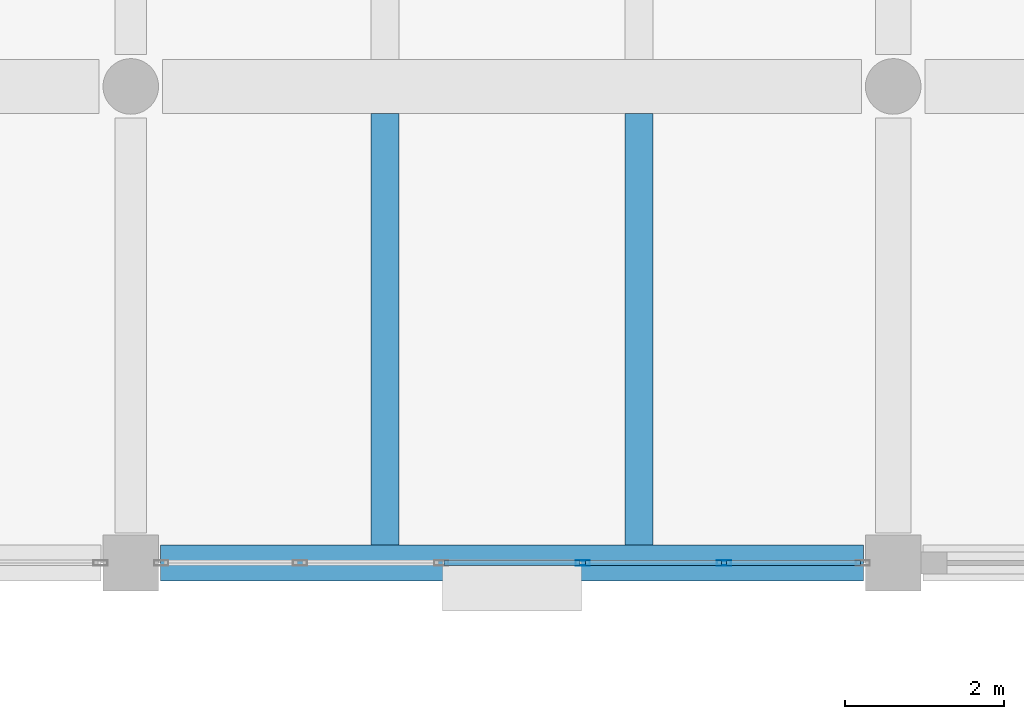
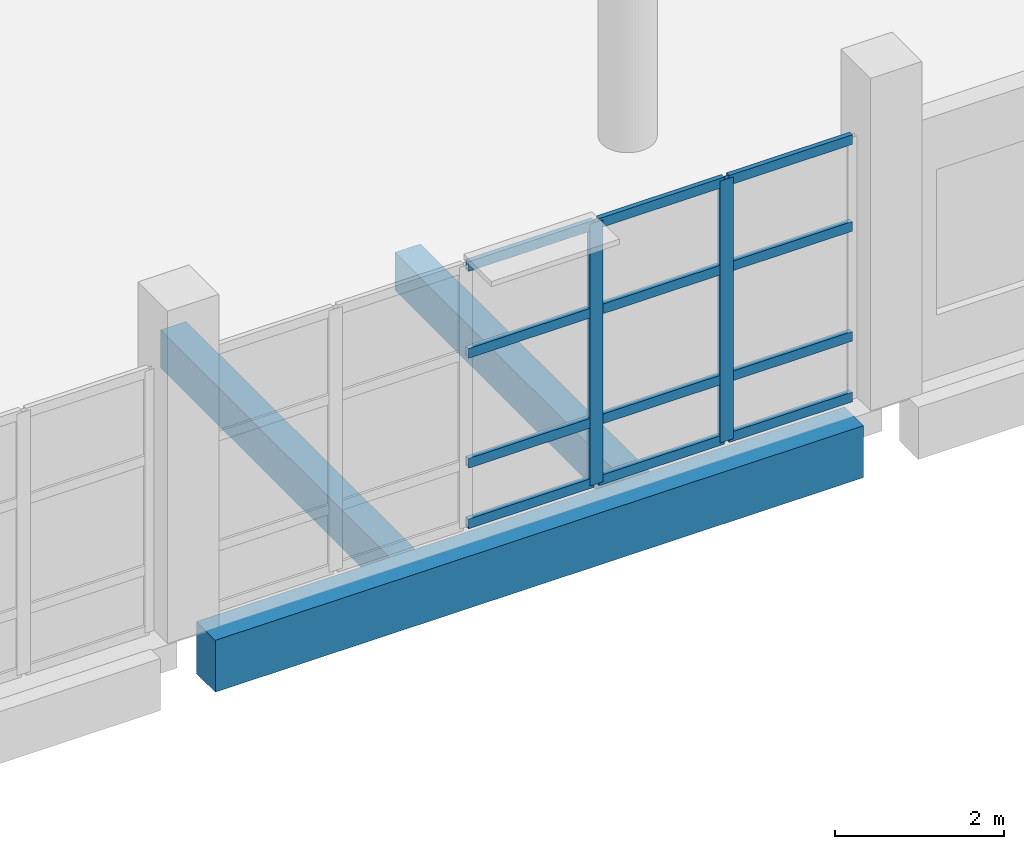
# One storey, part 41 of 91: 14 members, 3 beams, 1 element without a shape of its own.
"""IFC4 building model written with IfcOpenShell, lengths in metres."""

from ifc_helpers import new_model, si_unit, direction, frame, origin, origin_2d, place, context, subcontext, project, spatial, rectangle, hollow_rectangle, extrude, material, material_profile, profile_set, type_object, element, aggregate, save


model = new_model("IFC4")

# Units and contexts
model_context = context("Model", 3, precision=1e-05, world=origin(), true_north=direction((0.0, 1.0)))
body_context = subcontext(model_context, "Body", "Model", "MODEL_VIEW")
ifc_project = project(units=[si_unit("LENGTHUNIT", "METRE"), si_unit("AREAUNIT", "SQUARE_METRE"), si_unit("VOLUMEUNIT", "CUBIC_METRE"), si_unit("PLANEANGLEUNIT", "RADIAN"), si_unit("MASSUNIT", "GRAM", prefix="KILO")], contexts=[model_context])

# Site, building, storey
site_placement = place(None, origin())
site = spatial("IfcSite", under=ifc_project, at=site_placement, CompositionType="ELEMENT")
building_placement = place(site_placement, origin())
building = spatial("IfcBuilding", under=site, at=building_placement, Name="Pellamere Symphony Hall", CompositionType="ELEMENT")
storey_placement = place(building_placement, frame((0.0, 0.0, 5.39990234375)))
storey = spatial("IfcBuildingStorey", under=building, at=storey_placement, Name="L01", CompositionType="ELEMENT", Elevation=5.39990234375)

# Curtain wall, members
ifc_material_1 = material(Name="Thermally Broken Anodised Aluminium 6063-T6 Curtain Wall", Category="aluminium")
curtain_wall_type = type_object("IfcCurtainWallType", Name="Curtain Wall CW-02 (Winter-Garden South Concourse Curtain Wall)", PredefinedType="NOTDEFINED", material=ifc_material_1)
curtain_wall_placement = place(storey_placement, origin())
curtain_wall = element("IfcCurtainWall", 1, at=curtain_wall_placement, inside=storey, type_object=curtain_wall_type, Name="Winter-Garden South Curtain Wall (L01 Bay 11)", PredefinedType="NOTDEFINED")
ifc_material_2 = material(Name="Anodised Architectural Aluminium 6063-T6", Category="aluminium")
ifc_material_profile_1 = material_profile(ifc_material_2, hollow_rectangle(XDim=0.06494140625, YDim=0.179931640625, WallThickness=0.00390625, at=origin_2d()), Name="ALU-M65X180X4")
ifc_profile_set_1 = profile_set([ifc_material_profile_1], Name="Anodised Architectural Aluminium 6063-T6")
member_type_1 = type_object("IfcMemberType", Name="Curtain Wall Mullion ML-02 ALU-M65X180X4", PredefinedType="MULLION", material=ifc_profile_set_1)
member_1_placement = place(storey_placement, frame((124.489990234375, 18.0, 0.0), z_axis=(0.0, 0.0, 1.0), x_axis=(0.0, 1.0, 0.0)))
member_1 = element("IfcMember", 2, at=member_1_placement, type_object=member_type_1, Name="CW2-076 crystal mullion 4", PredefinedType="MULLION", context=body_context, shape_type="SweptSolid", body=[
    extrude(hollow_rectangle(XDim=0.06494140625, YDim=0.179931640625, WallThickness=0.00390625, at=origin_2d()), origin(), (0.0, 0.0, 1.0), 3.780029296875),
])
member_2_placement = place(storey_placement, frame((126.27001953125, 18.0, 0.0), z_axis=(0.0, 0.0, 1.0), x_axis=(0.0, 1.0, 0.0)))
member_2 = element("IfcMember", 3, at=member_2_placement, type_object=member_type_1, Name="CW2-076 crystal mullion 5", PredefinedType="MULLION", context=body_context, shape_type="SweptSolid", body=[
    extrude(hollow_rectangle(XDim=0.06494140625, YDim=0.179931640625, WallThickness=0.00390625, at=origin_2d()), origin(), (0.0, 0.0, 1.0), 3.780029296875),
])
ifc_material_profile_2 = material_profile(ifc_material_2, hollow_rectangle(XDim=0.06494140625, YDim=0.139892578125, WallThickness=0.00390625, at=origin_2d()), Name="ALU-T65X140X4")
ifc_profile_set_2 = profile_set([ifc_material_profile_2], Name="Anodised Architectural Aluminium 6063-T6")
member_type_2 = type_object("IfcMemberType", Name="Curtain Wall Transom TR-02 ALU-T65X140X4", PredefinedType="USERDEFINED", material=ifc_profile_set_2)
member_3_placement = place(storey_placement, frame((122.742431640625, 18.0, 0.03271484375), z_axis=(1.0, 0.0, 0.0), x_axis=(0.0, 1.0, 0.0)))
member_3 = element("IfcMember", 4, at=member_3_placement, type_object=member_type_2, Name="CW2-076 crystal transom 3.1", ObjectType="TRANSOM", PredefinedType="USERDEFINED", context=body_context, shape_type="SweptSolid", body=[
    extrude(hollow_rectangle(XDim=0.06494140625, YDim=0.139892578125, WallThickness=0.00390625, at=origin_2d()), origin(), (0.0, 0.0, 1.0), 1.715087890625),
])
member_4_placement = place(storey_placement, frame((122.742431640625, 18.0, 0.9072265625), z_axis=(1.0, 0.0, 0.0), x_axis=(0.0, 1.0, 0.0)))
member_4 = element("IfcMember", 5, at=member_4_placement, type_object=member_type_2, Name="CW2-076 crystal transom 3.2", ObjectType="TRANSOM", PredefinedType="USERDEFINED", context=body_context, shape_type="SweptSolid", body=[
    extrude(hollow_rectangle(XDim=0.06494140625, YDim=0.139892578125, WallThickness=0.00390625, at=origin_2d()), origin(), (0.0, 0.0, 1.0), 1.715087890625),
])
member_5_placement = place(storey_placement, frame((122.742431640625, 18.0, 2.494873046875), z_axis=(1.0, 0.0, 0.0), x_axis=(0.0, 1.0, 0.0)))
member_5 = element("IfcMember", 6, at=member_5_placement, type_object=member_type_2, Name="CW2-076 crystal transom 3.3", ObjectType="TRANSOM", PredefinedType="USERDEFINED", context=body_context, shape_type="SweptSolid", body=[
    extrude(hollow_rectangle(XDim=0.06494140625, YDim=0.139892578125, WallThickness=0.00390625, at=origin_2d()), origin(), (0.0, 0.0, 1.0), 1.715087890625),
])
member_6_placement = place(storey_placement, frame((122.742431640625, 18.0, 3.74755859375), z_axis=(1.0, 0.0, 0.0), x_axis=(0.0, 1.0, 0.0)))
member_6 = element("IfcMember", 7, at=member_6_placement, type_object=member_type_2, Name="CW2-076 crystal transom 3.4", ObjectType="TRANSOM", PredefinedType="USERDEFINED", context=body_context, shape_type="SweptSolid", body=[
    extrude(hollow_rectangle(XDim=0.06494140625, YDim=0.139892578125, WallThickness=0.00390625, at=origin_2d()), origin(), (0.0, 0.0, 1.0), 1.715087890625),
])
member_7_placement = place(storey_placement, frame((124.5224609375, 18.0, 0.03271484375), z_axis=(1.0, 0.0, 0.0), x_axis=(0.0, 1.0, 0.0)))
member_7 = element("IfcMember", 8, at=member_7_placement, type_object=member_type_2, Name="CW2-076 crystal transom 4.1", ObjectType="TRANSOM", PredefinedType="USERDEFINED", context=body_context, shape_type="SweptSolid", body=[
    extrude(hollow_rectangle(XDim=0.06494140625, YDim=0.139892578125, WallThickness=0.00390625, at=origin_2d()), origin(), (0.0, 0.0, 1.0), 1.715087890625),
])
member_8_placement = place(storey_placement, frame((124.5224609375, 18.0, 0.9072265625), z_axis=(1.0, 0.0, 0.0), x_axis=(0.0, 1.0, 0.0)))
member_8 = element("IfcMember", 9, at=member_8_placement, type_object=member_type_2, Name="CW2-076 crystal transom 4.2", ObjectType="TRANSOM", PredefinedType="USERDEFINED", context=body_context, shape_type="SweptSolid", body=[
    extrude(hollow_rectangle(XDim=0.06494140625, YDim=0.139892578125, WallThickness=0.00390625, at=origin_2d()), origin(), (0.0, 0.0, 1.0), 1.715087890625),
])
member_9_placement = place(storey_placement, frame((124.5224609375, 18.0, 2.494873046875), z_axis=(1.0, 0.0, 0.0), x_axis=(0.0, 1.0, 0.0)))
member_9 = element("IfcMember", 10, at=member_9_placement, type_object=member_type_2, Name="CW2-076 crystal transom 4.3", ObjectType="TRANSOM", PredefinedType="USERDEFINED", context=body_context, shape_type="SweptSolid", body=[
    extrude(hollow_rectangle(XDim=0.06494140625, YDim=0.139892578125, WallThickness=0.00390625, at=origin_2d()), origin(), (0.0, 0.0, 1.0), 1.715087890625),
])
member_10_placement = place(storey_placement, frame((124.5224609375, 18.0, 3.74755859375), z_axis=(1.0, 0.0, 0.0), x_axis=(0.0, 1.0, 0.0)))
member_10 = element("IfcMember", 11, at=member_10_placement, type_object=member_type_2, Name="CW2-076 crystal transom 4.4", ObjectType="TRANSOM", PredefinedType="USERDEFINED", context=body_context, shape_type="SweptSolid", body=[
    extrude(hollow_rectangle(XDim=0.06494140625, YDim=0.139892578125, WallThickness=0.00390625, at=origin_2d()), origin(), (0.0, 0.0, 1.0), 1.715087890625),
])
member_11_placement = place(storey_placement, frame((126.302490234375, 18.0, 0.03271484375), z_axis=(1.0, 0.0, 0.0), x_axis=(0.0, 1.0, 0.0)))
member_11 = element("IfcMember", 12, at=member_11_placement, type_object=member_type_2, Name="CW2-076 crystal transom 5.1", ObjectType="TRANSOM", PredefinedType="USERDEFINED", context=body_context, shape_type="SweptSolid", body=[
    extrude(hollow_rectangle(XDim=0.06494140625, YDim=0.139892578125, WallThickness=0.00390625, at=origin_2d()), origin(), (0.0, 0.0, 1.0), 1.6826171875),
])
member_12_placement = place(storey_placement, frame((126.302490234375, 18.0, 0.9072265625), z_axis=(1.0, 0.0, 0.0), x_axis=(0.0, 1.0, 0.0)))
member_12 = element("IfcMember", 13, at=member_12_placement, type_object=member_type_2, Name="CW2-076 crystal transom 5.2", ObjectType="TRANSOM", PredefinedType="USERDEFINED", context=body_context, shape_type="SweptSolid", body=[
    extrude(hollow_rectangle(XDim=0.06494140625, YDim=0.139892578125, WallThickness=0.00390625, at=origin_2d()), origin(), (0.0, 0.0, 1.0), 1.6826171875),
])
member_13_placement = place(storey_placement, frame((126.302490234375, 18.0, 2.494873046875), z_axis=(1.0, 0.0, 0.0), x_axis=(0.0, 1.0, 0.0)))
member_13 = element("IfcMember", 14, at=member_13_placement, type_object=member_type_2, Name="CW2-076 crystal transom 5.3", ObjectType="TRANSOM", PredefinedType="USERDEFINED", context=body_context, shape_type="SweptSolid", body=[
    extrude(hollow_rectangle(XDim=0.06494140625, YDim=0.139892578125, WallThickness=0.00390625, at=origin_2d()), origin(), (0.0, 0.0, 1.0), 1.6826171875),
])
member_14_placement = place(storey_placement, frame((126.302490234375, 18.0, 3.74755859375), z_axis=(1.0, 0.0, 0.0), x_axis=(0.0, 1.0, 0.0)))
member_14 = element("IfcMember", 15, at=member_14_placement, type_object=member_type_2, Name="CW2-076 crystal transom 5.4", ObjectType="TRANSOM", PredefinedType="USERDEFINED", context=body_context, shape_type="SweptSolid", body=[
    extrude(hollow_rectangle(XDim=0.06494140625, YDim=0.139892578125, WallThickness=0.00390625, at=origin_2d()), origin(), (0.0, 0.0, 1.0), 1.6826171875),
])
aggregate(curtain_wall, [member_1, member_2, member_3, member_4, member_5, member_6, member_7, member_8, member_9, member_10, member_11, member_12, member_13, member_14])

# Beams
ifc_material_3 = material(Name="Concrete 35 MPa", Category="concrete")
ifc_material_profile_3 = material_profile(ifc_material_3, rectangle(XDim=0.35009765625, YDim=0.550048828125, at=origin_2d()), Name="RC 350x550")
ifc_profile_set_3 = profile_set([ifc_material_profile_3], Name="Concrete 35 MPa")
beam_type_1 = type_object("IfcBeamType", Name="RC CB-10 350x550", PredefinedType="BEAM", material=ifc_profile_set_3)
for number, where, z_axis, x_axis, name in (
    (16, (122.0, 18.22509765625, -0.56982421875), (0.0, 1.0, 0.0), (-1.0, 0.0, 0.0), "Secondary Floor Beam CB-10-A1502 (L01)"),
    (17, (125.199951171875, 18.22509765625, -0.56982421875), (0.0, 1.0, 0.0), (-1.0, 0.0, 0.0), "Secondary Floor Beam CB-10-B1502 (L01)"),
):
    element("IfcBeam", number, at=place(storey_placement, frame(where, z_axis=z_axis, x_axis=x_axis)), inside=storey, type_object=beam_type_1, Name=name, PredefinedType="BEAM", context=body_context, shape_type="SweptSolid", body=[
        extrude(rectangle(XDim=0.35009765625, YDim=0.550048828125, at=origin_2d()), origin(), (0.0, 0.0, 1.0), 5.434814453125),
    ])
ifc_material_4 = material(Name="Concrete 40 MPa", Category="concrete")
ifc_material_profile_4 = material_profile(ifc_material_4, rectangle(XDim=0.449951171875, YDim=0.75, at=origin_2d()), Name="RC 450x750")
ifc_profile_set_4 = profile_set([ifc_material_profile_4], Name="Concrete 40 MPa")
beam_type_2 = type_object("IfcBeamType", Name="RC CB-12 450x750", PredefinedType="SPANDREL", material=ifc_profile_set_4)
beam_placement = place(storey_placement, frame((119.175048828125, 18.0, -0.65478515625), z_axis=(1.0, 0.0, 0.0), x_axis=(0.0, 1.0, 0.0)))
element("IfcBeam", 18, at=beam_placement, inside=storey, type_object=beam_type_2, Name="Girder CB-12-X0557 (L01)", PredefinedType="SPANDREL", context=body_context, shape_type="SweptSolid", body=[
    extrude(rectangle(XDim=0.449951171875, YDim=0.75, at=origin_2d()), origin(), (0.0, 0.0, 1.0), 8.849853515625),
])

save(model, "model.ifc")
